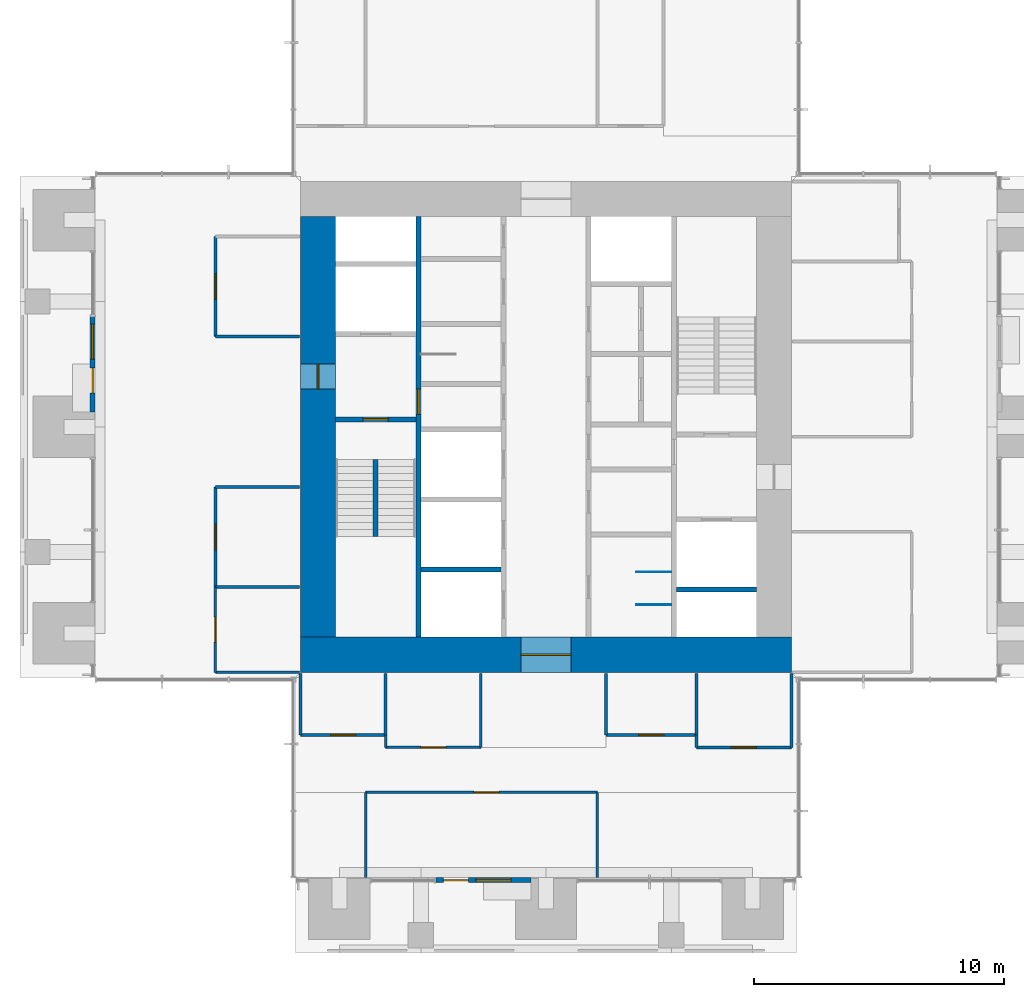
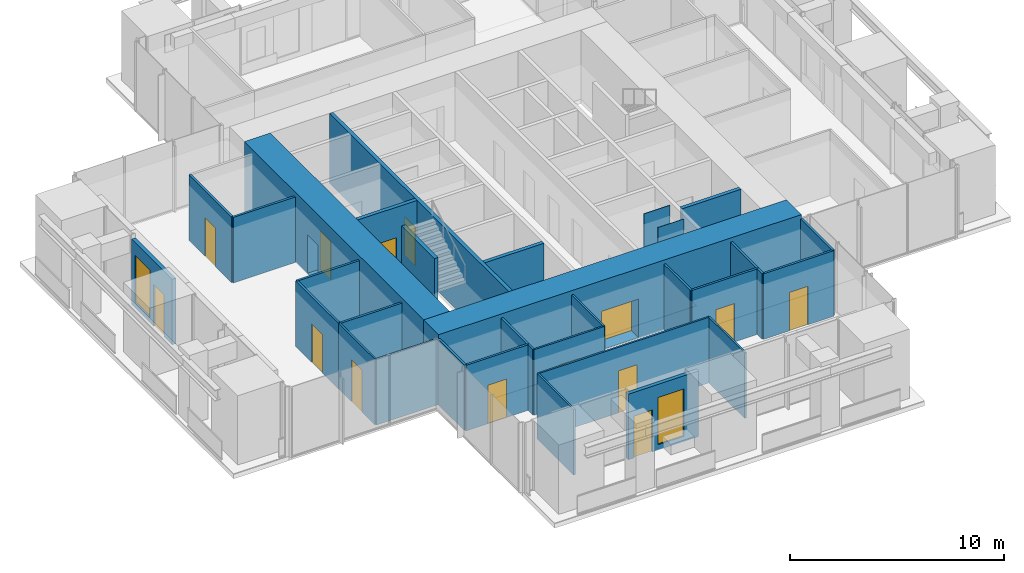
# One storey, part 12 of 17: 33 walls, 14 doors, 2 windows, 16 openings.
"""IFC4 building model written with IfcOpenShell, lengths in metres."""

from ifc_helpers import new_model, si_unit, direction, frame, frame_2d, origin, place, context, subcontext, project, spatial, rectangle, extrude, material, layer, layer_set, type_object, element, fill, save


model = new_model("IFC4")

# Units and contexts
model_context = context("Model", 3, precision=1e-05, world=origin(), true_north=direction((0.0, 1.0)))
body_context = subcontext(model_context, "Body", "Model", "MODEL_VIEW")
ifc_project = project(units=[si_unit("LENGTHUNIT", "METRE"), si_unit("AREAUNIT", "SQUARE_METRE"), si_unit("VOLUMEUNIT", "CUBIC_METRE"), si_unit("PLANEANGLEUNIT", "RADIAN"), si_unit("MASSUNIT", "GRAM", prefix="KILO")], contexts=[model_context])

# Site, building, storey
site_placement = place(None, origin())
site = spatial("IfcSite", under=ifc_project, at=site_placement, CompositionType="ELEMENT")
building_placement = place(site_placement, origin())
building = spatial("IfcBuilding", under=site, at=building_placement, Name="Svetlomir Tower", CompositionType="ELEMENT")
storey_placement = place(building_placement, frame((0.0, 0.0, 190.5)))
storey = spatial("IfcBuildingStorey", under=building, at=storey_placement, Name="L45", CompositionType="ELEMENT", Elevation=190.5)

# Wall, openings, door, window
ifc_material_1 = material(Name="Bronze anodised aluminium glazed screen", Category="aluminium")
ifc_layer_1 = layer(ifc_material_1, 0.199951171875)
ifc_layer_set_1 = layer_set([ifc_layer_1], Name="Bronze anodised aluminium glazed screen")
wall_type_1 = type_object("IfcWallType", Name="BALCONY SCREEN WALL 200", PredefinedType="USERDEFINED", material=ifc_layer_set_1)
wall_1_placement = place(storey_placement, frame((16.60009765625, 2.89990234375, 0.0), z_axis=(0.0, 0.0, 1.0), x_axis=(1.0, 0.0, 0.0)))
wall_1 = element("IfcWall", 1, at=wall_1_placement, inside=storey, type_object=wall_type_1, Name="Balcony screen S", ObjectType="GLAZED SCREEN", PredefinedType="USERDEFINED", context=body_context, shape_type="SweptSolid", body=[
    extrude(rectangle(XDim=3.7998046875, YDim=0.199951171875, at=frame_2d((1.89990234375, 0.0))), origin(), (0.0, 0.0, 1.0), 3.75),
])
opening_1_placement = place(wall_1_placement, frame((0.300048828125, 0.0, 0.0)))
opening_1 = element("IfcOpeningElement", 2, at=opening_1_placement, cuts=wall_1, Name="Opening BD", PredefinedType="OPENING", context=body_context, shape_type="SweptSolid", body=[
    extrude(rectangle(XDim=1.0, YDim=2.39990234375, at=frame_2d((0.5, 1.199951171875))), frame((0.0, 0.10986328125, 0.0), z_axis=(0.0, -1.0, 0.0), x_axis=(1.0, 0.0, 0.0)), (0.0, 0.0, 1.0), 0.219970703125),
])
opening_2_placement = place(wall_1_placement, frame((1.60009765625, 0.0, 0.300048828125)))
opening_2 = element("IfcOpeningElement", 3, at=opening_2_placement, cuts=wall_1, Name="Opening WS2", PredefinedType="OPENING", context=body_context, shape_type="SweptSolid", body=[
    extrude(rectangle(XDim=1.39990234375, YDim=2.699951171875, at=frame_2d((0.699951171875, 1.35009765625))), frame((0.0, 0.10986328125, 0.0), z_axis=(0.0, -1.0, 0.0), x_axis=(1.0, 0.0, 0.0)), (0.0, 0.0, 1.0), 0.219970703125),
])
ifc_material_2 = material(Name="Bronze anodised aluminium glazed door", Category="aluminium")
door_type_1 = type_object("IfcDoorType", Name="BALCONY DOOR BD 1000x2400", OperationType="SINGLE_SWING_LEFT", PredefinedType="DOOR", material=ifc_material_2)
door_1_placement = place(opening_1_placement, origin())
door_1 = element("IfcDoor", 4, at=door_1_placement, inside=storey, type_object=door_type_1, Name="Balcony screen S door", OperationType="SINGLE_SWING_LEFT", OverallHeight=2.39990234375, OverallWidth=1.0, PredefinedType="DOOR", context=body_context, shape_type="SweptSolid", body=[
    extrude(rectangle(XDim=1.0, YDim=2.39990234375, at=frame_2d((0.5, 1.199951171875))), frame((0.0, 0.02490234375, 0.0), z_axis=(0.0, -1.0, 0.0), x_axis=(1.0, 0.0, 0.0)), (0.0, 0.0, 1.0), 0.050048828125),
])
fill(opening_1, door_1)
ifc_material_3 = material(Name="Bronze anodised aluminium window", Category="aluminium")
window_type = type_object("IfcWindowType", Name="SCREEN WINDOW WS2 1400x2700", PartitioningType="SINGLE_PANEL", PredefinedType="WINDOW", material=ifc_material_3)
window_1_placement = place(opening_2_placement, origin())
window_1 = element("IfcWindow", 5, at=window_1_placement, inside=storey, type_object=window_type, Name="Balcony screen S window 1", OverallHeight=2.699951171875, OverallWidth=1.39990234375, PartitioningType="SINGLE_PANEL", PredefinedType="WINDOW", context=body_context, shape_type="SweptSolid", body=[
    extrude(rectangle(XDim=1.39990234375, YDim=2.699951171875, at=frame_2d((0.699951171875, 1.35009765625))), frame((0.0, 0.030029296875, 0.0), z_axis=(0.0, -1.0, 0.0), x_axis=(1.0, 0.0, 0.0)), (0.0, 0.0, 1.0), 0.06005859375),
])
fill(opening_2, window_1)

wall_2_placement = place(storey_placement, frame((2.89990234375, 25.39990234375, 0.0), z_axis=(0.0, 0.0, 1.0), x_axis=(0.0, -1.0, 0.0)))
wall_2 = element("IfcWall", 6, at=wall_2_placement, inside=storey, type_object=wall_type_1, Name="Balcony screen W", ObjectType="GLAZED SCREEN", PredefinedType="USERDEFINED", context=body_context, shape_type="SweptSolid", body=[
    extrude(rectangle(XDim=3.7998046875, YDim=0.199951171875, at=frame_2d((1.89990234375, 0.0))), origin(), (0.0, 0.0, 1.0), 3.75),
])
opening_3_placement = place(wall_2_placement, frame((2.050048828125, 0.0, 0.0)))
opening_3 = element("IfcOpeningElement", 7, at=opening_3_placement, cuts=wall_2, Name="Opening BD", PredefinedType="OPENING", context=body_context, shape_type="SweptSolid", body=[
    extrude(rectangle(XDim=1.0, YDim=2.39990234375, at=frame_2d((0.5, 1.199951171875))), frame((0.0, 0.10986328125, 0.0), z_axis=(0.0, -1.0, 0.0), x_axis=(1.0, 0.0, 0.0)), (0.0, 0.0, 1.0), 0.219970703125),
])
opening_4_placement = place(wall_2_placement, frame((0.300048828125, 0.0, 0.300048828125)))
opening_4 = element("IfcOpeningElement", 8, at=opening_4_placement, cuts=wall_2, Name="Opening WS2", PredefinedType="OPENING", context=body_context, shape_type="SweptSolid", body=[
    extrude(rectangle(XDim=1.39990234375, YDim=2.699951171875, at=frame_2d((0.699951171875, 1.35009765625))), frame((0.0, 0.10986328125, 0.0), z_axis=(0.0, -1.0, 0.0), x_axis=(1.0, 0.0, 0.0)), (0.0, 0.0, 1.0), 0.219970703125),
])
door_2_placement = place(opening_3_placement, origin())
door_2 = element("IfcDoor", 9, at=door_2_placement, inside=storey, type_object=door_type_1, Name="Balcony screen W door", OperationType="SINGLE_SWING_LEFT", OverallHeight=2.39990234375, OverallWidth=1.0, PredefinedType="DOOR", context=body_context, shape_type="SweptSolid", body=[
    extrude(rectangle(XDim=1.0, YDim=2.39990234375, at=frame_2d((0.5, 1.199951171875))), frame((0.0, 0.02490234375, 0.0), z_axis=(0.0, -1.0, 0.0), x_axis=(1.0, 0.0, 0.0)), (0.0, 0.0, 1.0), 0.050048828125),
])
fill(opening_3, door_2)
window_2_placement = place(opening_4_placement, origin())
window_2 = element("IfcWindow", 10, at=window_2_placement, inside=storey, type_object=window_type, Name="Balcony screen W window 1", OverallHeight=2.699951171875, OverallWidth=1.39990234375, PartitioningType="SINGLE_PANEL", PredefinedType="WINDOW", context=body_context, shape_type="SweptSolid", body=[
    extrude(rectangle(XDim=1.39990234375, YDim=2.699951171875, at=frame_2d((0.699951171875, 1.35009765625))), frame((0.0, 0.030029296875, 0.0), z_axis=(0.0, -1.0, 0.0), x_axis=(1.0, 0.0, 0.0)), (0.0, 0.0, 1.0), 0.06005859375),
])
fill(opening_4, window_2)

# Wall, opening, door
ifc_material_4 = material(Name="Concrete C60/75", Category="concrete")
ifc_layer_2 = layer(ifc_material_4, 0.199951171875)
ifc_layer_set_2 = layer_set([ifc_layer_2], Name="Concrete C60/75")
wall_type_2 = type_object("IfcWallType", Name="CORE INNER WALL 200", PredefinedType="SHEAR", material=ifc_layer_set_2)
wall_3_placement = place(storey_placement, frame((15.89990234375, 12.60009765625, -0.050048828125), z_axis=(0.0, 0.0, 1.0), x_axis=(0.0, 1.0, 0.0)))
wall_3 = element("IfcWall", 11, at=wall_3_placement, inside=storey, type_object=wall_type_2, Name="Core inner wall 15.9 L45", PredefinedType="SHEAR", context=body_context, shape_type="SweptSolid", body=[
    extrude(rectangle(XDim=16.7998046875, YDim=0.199951171875, at=frame_2d((8.39990234375, 0.0))), origin(), (0.0, 0.0, 1.0), 4.0),
])
opening_5_placement = place(wall_3_placement, frame((8.89990234375, 0.0, 0.050048828125)))
opening_5 = element("IfcOpeningElement", 12, at=opening_5_placement, cuts=wall_3, Name="Opening DF", PredefinedType="OPENING", context=body_context, shape_type="SweptSolid", body=[
    extrude(rectangle(XDim=1.0, YDim=2.199951171875, at=frame_2d((0.5, 1.10009765625))), frame((0.0, 0.10986328125, 0.0), z_axis=(0.0, -1.0, 0.0), x_axis=(1.0, 0.0, 0.0)), (0.0, 0.0, 1.0), 0.219970703125),
])
ifc_material_5 = material(Name="Steel fire door", Category="steel")
door_type_2 = type_object("IfcDoorType", Name="DOOR DF 1000x2200", OperationType="SINGLE_SWING_LEFT", PredefinedType="DOOR", material=ifc_material_5)
door_3_placement = place(opening_5_placement, origin())
door_3 = element("IfcDoor", 13, at=door_3_placement, inside=storey, type_object=door_type_2, Name="Core corridor west door L45", OperationType="SINGLE_SWING_LEFT", OverallHeight=2.199951171875, OverallWidth=1.0, PredefinedType="DOOR", context=body_context, shape_type="SweptSolid", body=[
    extrude(rectangle(XDim=1.0, YDim=2.199951171875, at=frame_2d((0.5, 1.10009765625))), frame((0.0, 0.02490234375, 0.0), z_axis=(0.0, -1.0, 0.0), x_axis=(1.0, 0.0, 0.0)), (0.0, 0.0, 1.0), 0.050048828125),
])
fill(opening_5, door_3)

wall_4_placement = place(storey_placement, frame((12.60009765625, 21.300048828125, -0.050048828125), z_axis=(0.0, 0.0, 1.0), x_axis=(1.0, 0.0, 0.0)))
wall_4 = element("IfcWall", 14, at=wall_4_placement, inside=storey, type_object=wall_type_2, Name="Core inner wall 12.6-15.8/21.3 L45", PredefinedType="SHEAR", context=body_context, shape_type="SweptSolid", body=[
    extrude(rectangle(XDim=3.199951171875, YDim=0.199951171875, at=frame_2d((1.60009765625, 0.0))), origin(), (0.0, 0.0, 1.0), 4.0),
])
opening_6_placement = place(wall_4_placement, frame((1.10009765625, 0.0, 0.050048828125)))
opening_6 = element("IfcOpeningElement", 15, at=opening_6_placement, cuts=wall_4, Name="Opening DF", PredefinedType="OPENING", context=body_context, shape_type="SweptSolid", body=[
    extrude(rectangle(XDim=1.0, YDim=2.199951171875, at=frame_2d((0.5, 1.10009765625))), frame((0.0, 0.10986328125, 0.0), z_axis=(0.0, -1.0, 0.0), x_axis=(1.0, 0.0, 0.0)), (0.0, 0.0, 1.0), 0.219970703125),
])
door_4_placement = place(opening_6_placement, origin())
door_4 = element("IfcDoor", 16, at=door_4_placement, inside=storey, type_object=door_type_2, Name="Stair S1 door L45", OperationType="SINGLE_SWING_LEFT", OverallHeight=2.199951171875, OverallWidth=1.0, PredefinedType="DOOR", context=body_context, shape_type="SweptSolid", body=[
    extrude(rectangle(XDim=1.0, YDim=2.199951171875, at=frame_2d((0.5, 1.10009765625))), frame((0.0, 0.02490234375, 0.0), z_axis=(0.0, -1.0, 0.0), x_axis=(1.0, 0.0, 0.0)), (0.0, 0.0, 1.0), 0.050048828125),
])
fill(opening_6, door_4)

# Walls
for number, where, z_axis, x_axis, name in (
    (17, (16.0, 15.300048828125, -0.050048828125), (0.0, 0.0, 1.0), (1.0, 0.0, 0.0), "Core inner wall 16-19.2/15.3 L45"),
    (18, (26.199951171875, 14.5, -0.050048828125), (0.0, 0.0, 1.0), (1.0, 0.0, 0.0), "Core inner wall 26.2-29.4/14.5 L45"),
):
    element("IfcWall", number, at=place(storey_placement, frame(where, z_axis=z_axis, x_axis=x_axis)), inside=storey, type_object=wall_type_2, Name=name, PredefinedType="SHEAR", context=body_context, shape_type="SweptSolid", body=[
        extrude(rectangle(XDim=3.199951171875, YDim=0.199951171875, at=frame_2d((1.60009765625, 0.0))), origin(), (0.0, 0.0, 1.0), 4.0),
    ])

# Wall, opening, door
ifc_material_6 = material(Name="Concrete C60/75", Category="concrete")
ifc_layer_3 = layer(ifc_material_6, 1.39990234375)
ifc_layer_set_3 = layer_set([ifc_layer_3], Name="Concrete C60/75")
wall_type_3 = type_object("IfcWallType", Name="CORE WALL 1400", PredefinedType="SHEAR", material=ifc_layer_set_3)
wall_5_placement = place(storey_placement, frame((11.199951171875, 11.89990234375, -0.050048828125), z_axis=(0.0, 0.0, 1.0), x_axis=(1.0, 0.0, 0.0)))
wall_5 = element("IfcWall", 19, at=wall_5_placement, inside=storey, type_object=wall_type_3, Name="Core wall south L45", PredefinedType="SHEAR", context=body_context, shape_type="SweptSolid", body=[
    extrude(rectangle(XDim=19.60009765625, YDim=1.39990234375, at=frame_2d((9.800048828125, 0.0))), origin(), (0.0, 0.0, 1.0), 4.0),
])
opening_7_placement = place(wall_5_placement, frame((8.800048828125, 0.0, 0.050048828125)))
opening_7 = element("IfcOpeningElement", 20, at=opening_7_placement, cuts=wall_5, Name="Opening DL", PredefinedType="OPENING", context=body_context, shape_type="SweptSolid", body=[
    extrude(rectangle(XDim=2.0, YDim=2.199951171875, at=frame_2d((1.0, 1.10009765625))), frame((0.0, 0.7099609375, 0.0), z_axis=(0.0, -1.0, 0.0), x_axis=(1.0, 0.0, 0.0)), (0.0, 0.0, 1.0), 1.419921875),
])
ifc_material_7 = material(Name="Steel fire door", Category="steel")
door_type_3 = type_object("IfcDoorType", Name="DOOR DL 2000x2200", OperationType="DOUBLE_DOOR_SINGLE_SWING", PredefinedType="DOOR", material=ifc_material_7)
door_5_placement = place(opening_7_placement, origin())
door_5 = element("IfcDoor", 21, at=door_5_placement, inside=storey, type_object=door_type_3, Name="Lift lobby south door L45", OperationType="DOUBLE_DOOR_SINGLE_SWING", OverallHeight=2.199951171875, OverallWidth=2.0, PredefinedType="DOOR", context=body_context, shape_type="SweptSolid", body=[
    extrude(rectangle(XDim=2.0, YDim=2.199951171875, at=frame_2d((1.0, 1.10009765625))), frame((0.0, 0.02490234375, 0.0), z_axis=(0.0, -1.0, 0.0), x_axis=(1.0, 0.0, 0.0)), (0.0, 0.0, 1.0), 0.050048828125),
])
fill(opening_7, door_5)

wall_6_placement = place(storey_placement, frame((11.89990234375, 12.60009765625, -0.050048828125), z_axis=(0.0, 0.0, 1.0), x_axis=(0.0, 1.0, 0.0)))
wall_6 = element("IfcWall", 22, at=wall_6_placement, inside=storey, type_object=wall_type_3, Name="Core wall west L45", PredefinedType="SHEAR", context=body_context, shape_type="SweptSolid", body=[
    extrude(rectangle(XDim=16.7998046875, YDim=1.39990234375, at=frame_2d((8.39990234375, 0.0))), origin(), (0.0, 0.0, 1.0), 4.0),
])
opening_8_placement = place(wall_6_placement, frame((9.89990234375, 0.0, 0.050048828125)))
opening_8 = element("IfcOpeningElement", 23, at=opening_8_placement, cuts=wall_6, Name="Opening DF", PredefinedType="OPENING", context=body_context, shape_type="SweptSolid", body=[
    extrude(rectangle(XDim=1.0, YDim=2.199951171875, at=frame_2d((0.5, 1.10009765625))), frame((0.0, 0.7099609375, 0.0), z_axis=(0.0, -1.0, 0.0), x_axis=(1.0, 0.0, 0.0)), (0.0, 0.0, 1.0), 1.419921875),
])
door_6_placement = place(opening_8_placement, origin())
door_6 = element("IfcDoor", 24, at=door_6_placement, inside=storey, type_object=door_type_2, Name="Firefighting lobby west door L45", OperationType="SINGLE_SWING_LEFT", OverallHeight=2.199951171875, OverallWidth=1.0, PredefinedType="DOOR", context=body_context, shape_type="SweptSolid", body=[
    extrude(rectangle(XDim=1.0, YDim=2.199951171875, at=frame_2d((0.5, 1.10009765625))), frame((0.0, 0.02490234375, 0.0), z_axis=(0.0, -1.0, 0.0), x_axis=(1.0, 0.0, 0.0)), (0.0, 0.0, 1.0), 0.050048828125),
])
fill(opening_8, door_6)

ifc_material_8 = material(Name="Framed laminated glass partition", Category="glass")
ifc_layer_4 = layer(ifc_material_8, 0.10009765625)
ifc_layer_set_4 = layer_set([ifc_layer_4], Name="Framed laminated glass partition")
wall_type_4 = type_object("IfcWallType", Name="GLAZED PARTITION 100", PredefinedType="PARTITIONING", material=ifc_layer_set_4)
wall_7_placement = place(storey_placement, frame((7.800048828125, 11.199951171875, 0.0), z_axis=(0.0, 0.0, 1.0), x_axis=(0.0, 1.0, 0.0)))
wall_7 = element("IfcWall", 25, at=wall_7_placement, inside=storey, type_object=wall_type_4, Name="Glazed partition L45", PredefinedType="PARTITIONING", context=body_context, shape_type="SweptSolid", body=[
    extrude(rectangle(XDim=3.400146484375, YDim=0.10009765625, at=frame_2d((1.7001953125, 0.0))), origin(), (0.0, 0.0, 1.0), 3.75),
])
opening_9_placement = place(wall_7_placement, frame((1.199951171875, 0.0, 0.0)))
opening_9 = element("IfcOpeningElement", 26, at=opening_9_placement, cuts=wall_7, Name="Opening DG", PredefinedType="OPENING", context=body_context, shape_type="SweptSolid", body=[
    extrude(rectangle(XDim=1.0, YDim=2.39990234375, at=frame_2d((0.5, 1.199951171875))), frame((0.0, 0.06005859375, 0.0), z_axis=(0.0, -1.0, 0.0), x_axis=(1.0, 0.0, 0.0)), (0.0, 0.0, 1.0), 0.1201171875),
])
ifc_material_9 = material(Name="Framed laminated glass door", Category="glass")
door_type_4 = type_object("IfcDoorType", Name="GLAZED DOOR DG 1000x2400", OperationType="SINGLE_SWING_LEFT", PredefinedType="DOOR", material=ifc_material_9)
door_7_placement = place(opening_9_placement, origin())
door_7 = element("IfcDoor", 27, at=door_7_placement, inside=storey, type_object=door_type_4, Name="Phone room door L45", OperationType="SINGLE_SWING_RIGHT", OverallHeight=2.39990234375, OverallWidth=1.0, PredefinedType="DOOR", context=body_context, shape_type="SweptSolid", body=[
    extrude(rectangle(XDim=1.0, YDim=2.39990234375, at=frame_2d((0.5, 1.199951171875))), frame((0.0, 0.02490234375, 0.0), z_axis=(0.0, -1.0, 0.0), x_axis=(1.0, 0.0, 0.0)), (0.0, 0.0, 1.0), 0.050048828125),
])
fill(opening_9, door_7)

# Walls
wall_8_placement = place(storey_placement, frame((7.800048828125, 11.199951171875, 0.0), z_axis=(0.0, 0.0, 1.0), x_axis=(1.0, 0.0, 0.0)))
element("IfcWall", 28, at=wall_8_placement, inside=storey, type_object=wall_type_4, Name="Glazed partition L45", PredefinedType="PARTITIONING", context=body_context, shape_type="SweptSolid", body=[
    extrude(rectangle(XDim=3.349853515625, YDim=0.10009765625, at=frame_2d((1.6748046875, 0.0))), origin(), (0.0, 0.0, 1.0), 3.75),
])
wall_9_placement = place(storey_placement, frame((13.800048828125, 3.0, 0.0), z_axis=(0.0, 0.0, 1.0), x_axis=(0.0, 1.0, 0.0)))
element("IfcWall", 29, at=wall_9_placement, inside=storey, type_object=wall_type_4, Name="Glazed partition L45", PredefinedType="PARTITIONING", context=body_context, shape_type="SweptSolid", body=[
    extrude(rectangle(XDim=3.39990234375, YDim=0.10009765625, at=frame_2d((1.699951171875, 0.0))), origin(), (0.0, 0.0, 1.0), 3.75),
])

# Wall, opening, door
wall_10_placement = place(storey_placement, frame((13.800048828125, 6.39990234375, 0.0), z_axis=(0.0, 0.0, 1.0), x_axis=(1.0, 0.0, 0.0)))
wall_10 = element("IfcWall", 30, at=wall_10_placement, inside=storey, type_object=wall_type_4, Name="Glazed partition L45", PredefinedType="PARTITIONING", context=body_context, shape_type="SweptSolid", body=[
    extrude(rectangle(XDim=9.25, YDim=0.10009765625, at=frame_2d((4.625, 0.0))), origin(), (0.0, 0.0, 1.0), 3.75),
])
opening_10_placement = place(wall_10_placement, frame((4.324951171875, 0.0, 0.0)))
opening_10 = element("IfcOpeningElement", 31, at=opening_10_placement, cuts=wall_10, Name="Opening DG", PredefinedType="OPENING", context=body_context, shape_type="SweptSolid", body=[
    extrude(rectangle(XDim=1.0, YDim=2.39990234375, at=frame_2d((0.5, 1.199951171875))), frame((0.0, 0.06005859375, 0.0), z_axis=(0.0, -1.0, 0.0), x_axis=(1.0, 0.0, 0.0)), (0.0, 0.0, 1.0), 0.1201171875),
])
door_8_placement = place(opening_10_placement, origin())
door_8 = element("IfcDoor", 32, at=door_8_placement, inside=storey, type_object=door_type_4, Name="Loggia break-out and kitchenette door L45", OperationType="SINGLE_SWING_LEFT", OverallHeight=2.39990234375, OverallWidth=1.0, PredefinedType="DOOR", context=body_context, shape_type="SweptSolid", body=[
    extrude(rectangle(XDim=1.0, YDim=2.39990234375, at=frame_2d((0.5, 1.199951171875))), frame((0.0, 0.02490234375, 0.0), z_axis=(0.0, -1.0, 0.0), x_axis=(1.0, 0.0, 0.0)), (0.0, 0.0, 1.0), 0.050048828125),
])
fill(opening_10, door_8)

# Wall
wall_11_placement = place(storey_placement, frame((14.60009765625, 8.199951171875, 0.0), z_axis=(0.0, 0.0, 1.0), x_axis=(0.0, 1.0, 0.0)))
element("IfcWall", 33, at=wall_11_placement, inside=storey, type_object=wall_type_4, Name="Glazed partition L45", PredefinedType="PARTITIONING", context=body_context, shape_type="SweptSolid", body=[
    extrude(rectangle(XDim=0.5, YDim=0.10009765625, at=frame_2d((0.25, 0.0))), origin(), (0.0, 0.0, 1.0), 3.75),
])

# Wall, opening, door
wall_12_placement = place(storey_placement, frame((14.60009765625, 8.199951171875, 0.0), z_axis=(0.0, 0.0, 1.0), x_axis=(1.0, 0.0, 0.0)))
wall_12 = element("IfcWall", 34, at=wall_12_placement, inside=storey, type_object=wall_type_4, Name="Glazed partition L45", PredefinedType="PARTITIONING", context=body_context, shape_type="SweptSolid", body=[
    extrude(rectangle(XDim=3.7998046875, YDim=0.10009765625, at=frame_2d((1.89990234375, 0.0))), origin(), (0.0, 0.0, 1.0), 3.75),
])
opening_11_placement = place(wall_12_placement, frame((1.39990234375, 0.0, 0.0)))
opening_11 = element("IfcOpeningElement", 35, at=opening_11_placement, cuts=wall_12, Name="Opening DG", PredefinedType="OPENING", context=body_context, shape_type="SweptSolid", body=[
    extrude(rectangle(XDim=1.0, YDim=2.39990234375, at=frame_2d((0.5, 1.199951171875))), frame((0.0, 0.06005859375, 0.0), z_axis=(0.0, -1.0, 0.0), x_axis=(1.0, 0.0, 0.0)), (0.0, 0.0, 1.0), 0.1201171875),
])
door_9_placement = place(opening_11_placement, origin())
door_9 = element("IfcDoor", 36, at=door_9_placement, inside=storey, type_object=door_type_4, Name="Meeting room, 4 seats door L45", OperationType="SINGLE_SWING_LEFT", OverallHeight=2.39990234375, OverallWidth=1.0, PredefinedType="DOOR", context=body_context, shape_type="SweptSolid", body=[
    extrude(rectangle(XDim=1.0, YDim=2.39990234375, at=frame_2d((0.5, 1.199951171875))), frame((0.0, 0.02490234375, 0.0), z_axis=(0.0, -1.0, 0.0), x_axis=(1.0, 0.0, 0.0)), (0.0, 0.0, 1.0), 0.050048828125),
])
fill(opening_11, door_9)

# Walls
wall_13_placement = place(storey_placement, frame((18.39990234375, 8.199951171875, 0.0), z_axis=(0.0, 0.0, 1.0), x_axis=(0.0, 1.0, 0.0)))
element("IfcWall", 37, at=wall_13_placement, inside=storey, type_object=wall_type_4, Name="Glazed partition L45", PredefinedType="PARTITIONING", context=body_context, shape_type="SweptSolid", body=[
    extrude(rectangle(XDim=2.949951171875, YDim=0.10009765625, at=frame_2d((1.47509765625, 0.0))), origin(), (0.0, 0.0, 1.0), 3.75),
])
wall_14_placement = place(storey_placement, frame((23.050048828125, 3.0, 0.0), z_axis=(0.0, 0.0, 1.0), x_axis=(0.0, 1.0, 0.0)))
element("IfcWall", 38, at=wall_14_placement, inside=storey, type_object=wall_type_4, Name="Glazed partition L45", PredefinedType="PARTITIONING", context=body_context, shape_type="SweptSolid", body=[
    extrude(rectangle(XDim=3.39990234375, YDim=0.10009765625, at=frame_2d((1.699951171875, 0.0))), origin(), (0.0, 0.0, 1.0), 3.75),
])

# Wall, opening, door
ifc_material_10 = material(Name="Gypsum board on steel studs", Category="steel")
ifc_layer_5 = layer(ifc_material_10, 0.1201171875)
ifc_layer_set_5 = layer_set([ifc_layer_5], Name="Gypsum board on steel studs")
wall_type_5 = type_object("IfcWallType", Name="PARTITION 120", PredefinedType="PARTITIONING", material=ifc_layer_set_5)
wall_15_placement = place(storey_placement, frame((7.800048828125, 14.60009765625, 0.0), z_axis=(0.0, 0.0, 1.0), x_axis=(0.0, 1.0, 0.0)))
wall_15 = element("IfcWall", 39, at=wall_15_placement, inside=storey, type_object=wall_type_5, Name="Partition L45", PredefinedType="PARTITIONING", context=body_context, shape_type="SweptSolid", body=[
    extrude(rectangle(XDim=4.0, YDim=0.1201171875, at=frame_2d((2.0, 0.0))), origin(), (0.0, 0.0, 1.0), 3.75),
])
opening_12_placement = place(wall_15_placement, frame((1.5, 0.0, 0.0)))
opening_12 = element("IfcOpeningElement", 40, at=opening_12_placement, cuts=wall_15, Name="Opening DR", PredefinedType="OPENING", context=body_context, shape_type="SweptSolid", body=[
    extrude(rectangle(XDim=1.0, YDim=2.199951171875, at=frame_2d((0.5, 1.10009765625))), frame((0.0, 0.070068359375, 0.0), z_axis=(0.0, -1.0, 0.0), x_axis=(1.0, 0.0, 0.0)), (0.0, 0.0, 1.0), 0.14013671875),
])
ifc_material_11 = material(Name="Timber door, glazed side light", Category="wood")
door_type_5 = type_object("IfcDoorType", Name="DOOR DR 1000x2200", OperationType="SINGLE_SWING_LEFT", PredefinedType="DOOR", material=ifc_material_11)
door_10_placement = place(opening_12_placement, origin())
door_10 = element("IfcDoor", 41, at=door_10_placement, inside=storey, type_object=door_type_5, Name="Team leader office door L45", OperationType="SINGLE_SWING_LEFT", OverallHeight=2.199951171875, OverallWidth=1.0, PredefinedType="DOOR", context=body_context, shape_type="SweptSolid", body=[
    extrude(rectangle(XDim=1.0, YDim=2.199951171875, at=frame_2d((0.5, 1.10009765625))), frame((0.0, 0.02490234375, 0.0), z_axis=(0.0, -1.0, 0.0), x_axis=(1.0, 0.0, 0.0)), (0.0, 0.0, 1.0), 0.050048828125),
])
fill(opening_12, door_10)

# Walls
for number, where, z_axis, x_axis, name in (
    (42, (7.800048828125, 14.60009765625, 0.0), (0.0, 0.0, 1.0), (1.0, 0.0, 0.0), "Partition L45"),
    (43, (7.800048828125, 18.60009765625, 0.0), (0.0, 0.0, 1.0), (1.0, 0.0, 0.0), "Partition L45"),
):
    element("IfcWall", number, at=place(storey_placement, frame(where, z_axis=z_axis, x_axis=x_axis)), inside=storey, type_object=wall_type_5, Name=name, PredefinedType="PARTITIONING", context=body_context, shape_type="SweptSolid", body=[
        extrude(rectangle(XDim=3.349853515625, YDim=0.1201171875, at=frame_2d((1.6748046875, 0.0))), origin(), (0.0, 0.0, 1.0), 3.75),
    ])

# Wall, opening, door
wall_16_placement = place(storey_placement, frame((7.800048828125, 24.60009765625, 0.0), z_axis=(0.0, 0.0, 1.0), x_axis=(0.0, 1.0, 0.0)))
wall_16 = element("IfcWall", 44, at=wall_16_placement, inside=storey, type_object=wall_type_5, Name="Partition L45", PredefinedType="PARTITIONING", context=body_context, shape_type="SweptSolid", body=[
    extrude(rectangle(XDim=4.0, YDim=0.1201171875, at=frame_2d((2.0, 0.0))), origin(), (0.0, 0.0, 1.0), 3.75),
])
opening_13_placement = place(wall_16_placement, frame((1.5, 0.0, 0.0)))
opening_13 = element("IfcOpeningElement", 45, at=opening_13_placement, cuts=wall_16, Name="Opening DR", PredefinedType="OPENING", context=body_context, shape_type="SweptSolid", body=[
    extrude(rectangle(XDim=1.0, YDim=2.199951171875, at=frame_2d((0.5, 1.10009765625))), frame((0.0, 0.070068359375, 0.0), z_axis=(0.0, -1.0, 0.0), x_axis=(1.0, 0.0, 0.0)), (0.0, 0.0, 1.0), 0.14013671875),
])
door_11_placement = place(opening_13_placement, origin())
door_11 = element("IfcDoor", 46, at=door_11_placement, inside=storey, type_object=door_type_5, Name="Claims handlers office door L45", OperationType="SINGLE_SWING_RIGHT", OverallHeight=2.199951171875, OverallWidth=1.0, PredefinedType="DOOR", context=body_context, shape_type="SweptSolid", body=[
    extrude(rectangle(XDim=1.0, YDim=2.199951171875, at=frame_2d((0.5, 1.10009765625))), frame((0.0, 0.02490234375, 0.0), z_axis=(0.0, -1.0, 0.0), x_axis=(1.0, 0.0, 0.0)), (0.0, 0.0, 1.0), 0.050048828125),
])
fill(opening_13, door_11)

# Walls
wall_17_placement = place(storey_placement, frame((7.800048828125, 24.60009765625, 0.0), z_axis=(0.0, 0.0, 1.0), x_axis=(1.0, 0.0, 0.0)))
element("IfcWall", 47, at=wall_17_placement, inside=storey, type_object=wall_type_5, Name="Partition L45", PredefinedType="PARTITIONING", context=body_context, shape_type="SweptSolid", body=[
    extrude(rectangle(XDim=3.349853515625, YDim=0.1201171875, at=frame_2d((1.6748046875, 0.0))), origin(), (0.0, 0.0, 1.0), 3.75),
])
wall_18_placement = place(storey_placement, frame((11.199951171875, 8.699951171875, 0.0), z_axis=(0.0, 0.0, 1.0), x_axis=(0.0, 1.0, 0.0)))
element("IfcWall", 48, at=wall_18_placement, inside=storey, type_object=wall_type_5, Name="Partition L45", PredefinedType="PARTITIONING", context=body_context, shape_type="SweptSolid", body=[
    extrude(rectangle(XDim=2.449951171875, YDim=0.1201171875, at=frame_2d((1.22509765625, 0.0))), origin(), (0.0, 0.0, 1.0), 3.75),
])

# Wall, opening, door
wall_19_placement = place(storey_placement, frame((11.199951171875, 8.699951171875, 0.0), z_axis=(0.0, 0.0, 1.0), x_axis=(1.0, 0.0, 0.0)))
wall_19 = element("IfcWall", 49, at=wall_19_placement, inside=storey, type_object=wall_type_5, Name="Partition L45", PredefinedType="PARTITIONING", context=body_context, shape_type="SweptSolid", body=[
    extrude(rectangle(XDim=3.400146484375, YDim=0.1201171875, at=frame_2d((1.7001953125, 0.0))), origin(), (0.0, 0.0, 1.0), 3.75),
])
opening_14_placement = place(wall_19_placement, frame((1.199951171875, 0.0, 0.0)))
opening_14 = element("IfcOpeningElement", 50, at=opening_14_placement, cuts=wall_19, Name="Opening DR", PredefinedType="OPENING", context=body_context, shape_type="SweptSolid", body=[
    extrude(rectangle(XDim=1.0, YDim=2.199951171875, at=frame_2d((0.5, 1.10009765625))), frame((0.0, 0.070068359375, 0.0), z_axis=(0.0, -1.0, 0.0), x_axis=(1.0, 0.0, 0.0)), (0.0, 0.0, 1.0), 0.14013671875),
])
door_12_placement = place(opening_14_placement, origin())
door_12 = element("IfcDoor", 51, at=door_12_placement, inside=storey, type_object=door_type_5, Name="Print and copy room door L45", OperationType="SINGLE_SWING_RIGHT", OverallHeight=2.199951171875, OverallWidth=1.0, PredefinedType="DOOR", context=body_context, shape_type="SweptSolid", body=[
    extrude(rectangle(XDim=1.0, YDim=2.199951171875, at=frame_2d((0.5, 1.10009765625))), frame((0.0, 0.02490234375, 0.0), z_axis=(0.0, -1.0, 0.0), x_axis=(1.0, 0.0, 0.0)), (0.0, 0.0, 1.0), 0.050048828125),
])
fill(opening_14, door_12)

# Walls
for number, where, z_axis, x_axis, name in (
    (52, (14.60009765625, 8.699951171875, 0.0), (0.0, 0.0, 1.0), (0.0, 1.0, 0.0), "Partition L45"),
    (53, (23.39990234375, 8.699951171875, 0.0), (0.0, 0.0, 1.0), (0.0, 1.0, 0.0), "Partition L45"),
):
    element("IfcWall", number, at=place(storey_placement, frame(where, z_axis=z_axis, x_axis=x_axis)), inside=storey, type_object=wall_type_5, Name=name, PredefinedType="PARTITIONING", context=body_context, shape_type="SweptSolid", body=[
        extrude(rectangle(XDim=2.449951171875, YDim=0.1201171875, at=frame_2d((1.22509765625, 0.0))), origin(), (0.0, 0.0, 1.0), 3.75),
    ])

# Wall, opening, door
wall_20_placement = place(storey_placement, frame((23.39990234375, 8.699951171875, 0.0), z_axis=(0.0, 0.0, 1.0), x_axis=(1.0, 0.0, 0.0)))
wall_20 = element("IfcWall", 54, at=wall_20_placement, inside=storey, type_object=wall_type_5, Name="Partition L45", PredefinedType="PARTITIONING", context=body_context, shape_type="SweptSolid", body=[
    extrude(rectangle(XDim=3.60009765625, YDim=0.1201171875, at=frame_2d((1.800048828125, 0.0))), origin(), (0.0, 0.0, 1.0), 3.75),
])
opening_15_placement = place(wall_20_placement, frame((1.300048828125, 0.0, 0.0)))
opening_15 = element("IfcOpeningElement", 55, at=opening_15_placement, cuts=wall_20, Name="Opening DR", PredefinedType="OPENING", context=body_context, shape_type="SweptSolid", body=[
    extrude(rectangle(XDim=1.0, YDim=2.199951171875, at=frame_2d((0.5, 1.10009765625))), frame((0.0, 0.070068359375, 0.0), z_axis=(0.0, -1.0, 0.0), x_axis=(1.0, 0.0, 0.0)), (0.0, 0.0, 1.0), 0.14013671875),
])
door_13_placement = place(opening_15_placement, origin())
door_13 = element("IfcDoor", 56, at=door_13_placement, inside=storey, type_object=door_type_5, Name="Store door L45", OperationType="SINGLE_SWING_RIGHT", OverallHeight=2.199951171875, OverallWidth=1.0, PredefinedType="DOOR", context=body_context, shape_type="SweptSolid", body=[
    extrude(rectangle(XDim=1.0, YDim=2.199951171875, at=frame_2d((0.5, 1.10009765625))), frame((0.0, 0.02490234375, 0.0), z_axis=(0.0, -1.0, 0.0), x_axis=(1.0, 0.0, 0.0)), (0.0, 0.0, 1.0), 0.050048828125),
])
fill(opening_15, door_13)

# Wall
wall_21_placement = place(storey_placement, frame((27.0, 8.199951171875, 0.0), z_axis=(0.0, 0.0, 1.0), x_axis=(0.0, 1.0, 0.0)))
element("IfcWall", 57, at=wall_21_placement, inside=storey, type_object=wall_type_5, Name="Partition L45", PredefinedType="PARTITIONING", context=body_context, shape_type="SweptSolid", body=[
    extrude(rectangle(XDim=0.5, YDim=0.1201171875, at=frame_2d((0.25, 0.0))), origin(), (0.0, 0.0, 1.0), 3.75),
])

# Wall, opening, door
wall_22_placement = place(storey_placement, frame((27.0, 8.199951171875, 0.0), z_axis=(0.0, 0.0, 1.0), x_axis=(1.0, 0.0, 0.0)))
wall_22 = element("IfcWall", 58, at=wall_22_placement, inside=storey, type_object=wall_type_5, Name="Partition L45", PredefinedType="PARTITIONING", context=body_context, shape_type="SweptSolid", body=[
    extrude(rectangle(XDim=3.800048828125, YDim=0.1201171875, at=frame_2d((1.89990234375, 0.0))), origin(), (0.0, 0.0, 1.0), 3.75),
])
opening_16_placement = place(wall_22_placement, frame((1.39990234375, 0.0, 0.0)))
opening_16 = element("IfcOpeningElement", 59, at=opening_16_placement, cuts=wall_22, Name="Opening DR", PredefinedType="OPENING", context=body_context, shape_type="SweptSolid", body=[
    extrude(rectangle(XDim=1.0, YDim=2.199951171875, at=frame_2d((0.5, 1.10009765625))), frame((0.0, 0.070068359375, 0.0), z_axis=(0.0, -1.0, 0.0), x_axis=(1.0, 0.0, 0.0)), (0.0, 0.0, 1.0), 0.14013671875),
])
door_14_placement = place(opening_16_placement, origin())
door_14 = element("IfcDoor", 60, at=door_14_placement, inside=storey, type_object=door_type_5, Name="Reinsurance team office door L45", OperationType="SINGLE_SWING_LEFT", OverallHeight=2.199951171875, OverallWidth=1.0, PredefinedType="DOOR", context=body_context, shape_type="SweptSolid", body=[
    extrude(rectangle(XDim=1.0, YDim=2.199951171875, at=frame_2d((0.5, 1.10009765625))), frame((0.0, 0.02490234375, 0.0), z_axis=(0.0, -1.0, 0.0), x_axis=(1.0, 0.0, 0.0)), (0.0, 0.0, 1.0), 0.050048828125),
])
fill(opening_16, door_14)

# Walls
wall_23_placement = place(storey_placement, frame((27.0, 8.699951171875, 0.0), z_axis=(0.0, 0.0, 1.0), x_axis=(0.0, 1.0, 0.0)))
element("IfcWall", 61, at=wall_23_placement, inside=storey, type_object=wall_type_5, Name="Partition L45", PredefinedType="PARTITIONING", context=body_context, shape_type="SweptSolid", body=[
    extrude(rectangle(XDim=2.449951171875, YDim=0.1201171875, at=frame_2d((1.22509765625, 0.0))), origin(), (0.0, 0.0, 1.0), 3.75),
])
wall_24_placement = place(storey_placement, frame((30.800048828125, 8.199951171875, 0.0), z_axis=(0.0, 0.0, 1.0), x_axis=(0.0, 1.0, 0.0)))
element("IfcWall", 62, at=wall_24_placement, inside=storey, type_object=wall_type_5, Name="Partition L45", PredefinedType="PARTITIONING", context=body_context, shape_type="SweptSolid", body=[
    extrude(rectangle(XDim=2.949951171875, YDim=0.1201171875, at=frame_2d((1.47509765625, 0.0))), origin(), (0.0, 0.0, 1.0), 3.75),
])
ifc_material_12 = material(Name="Concrete C60/75", Category="concrete")
ifc_layer_6 = layer(ifc_material_12, 0.199951171875)
ifc_layer_set_6 = layer_set([ifc_layer_6], Name="Concrete C60/75")
wall_type_6 = type_object("IfcWallType", Name="STAIR SPINE WALL 200", PredefinedType="PARTITIONING", material=ifc_layer_set_6)
wall_25_placement = place(storey_placement, frame((14.199951171875, 16.6201171875, 0.0), z_axis=(0.0, 0.0, 1.0), x_axis=(0.0, 1.0, 0.0)))
element("IfcWall", 63, at=wall_25_placement, inside=storey, type_object=wall_type_6, Name="Stair S1 spine wall L45", PredefinedType="PARTITIONING", context=body_context, shape_type="SweptSolid", body=[
    extrude(rectangle(XDim=3.079833984375, YDim=0.199951171875, at=frame_2d((1.5400390625, 0.0))), origin(), (0.0, 0.0, 1.0), 4.0),
])
ifc_material_13 = material(Name="Compact laminate panel", Category="plastic")
ifc_layer_7 = layer(ifc_material_13, 0.030029296875)
ifc_layer_set_7 = layer_set([ifc_layer_7], Name="Compact laminate panel")
wall_type_7 = type_object("IfcWallType", Name="WC CUBICLE PARTITION 30", PredefinedType="PARTITIONING", material=ifc_layer_set_7)
for number, where, z_axis, x_axis, name in (
    (64, (24.60009765625, 13.89990234375, 0.0), (0.0, 0.0, 1.0), (1.0, 0.0, 0.0), "WC cubicle partition L45"),
    (65, (24.60009765625, 15.199951171875, 0.0), (0.0, 0.0, 1.0), (1.0, 0.0, 0.0), "WC cubicle partition L45"),
):
    element("IfcWall", number, at=place(storey_placement, frame(where, z_axis=z_axis, x_axis=x_axis)), inside=storey, type_object=wall_type_7, Name=name, PredefinedType="PARTITIONING", context=body_context, shape_type="SweptSolid", body=[
        extrude(rectangle(XDim=1.39990234375, YDim=0.030029296875, at=frame_2d((0.699951171875, 0.0))), origin(), (0.0, 0.0, 1.0), 3.75),
    ])

save(model, "model.ifc")
